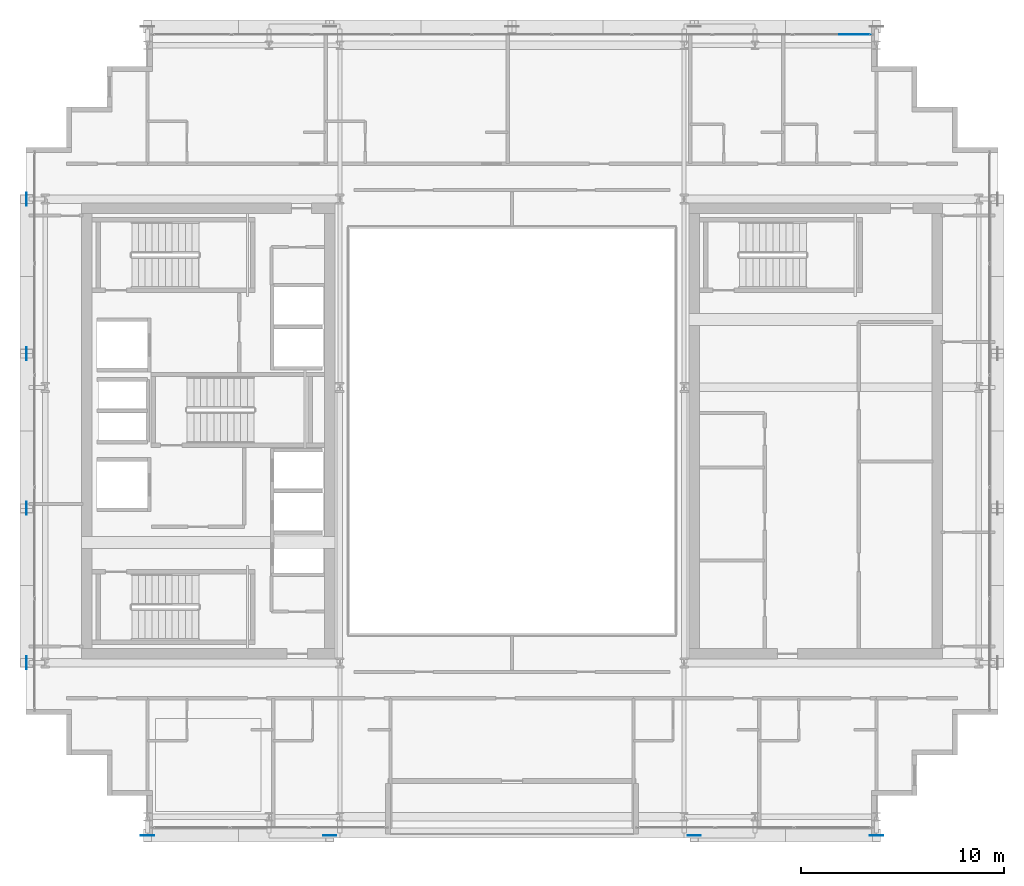
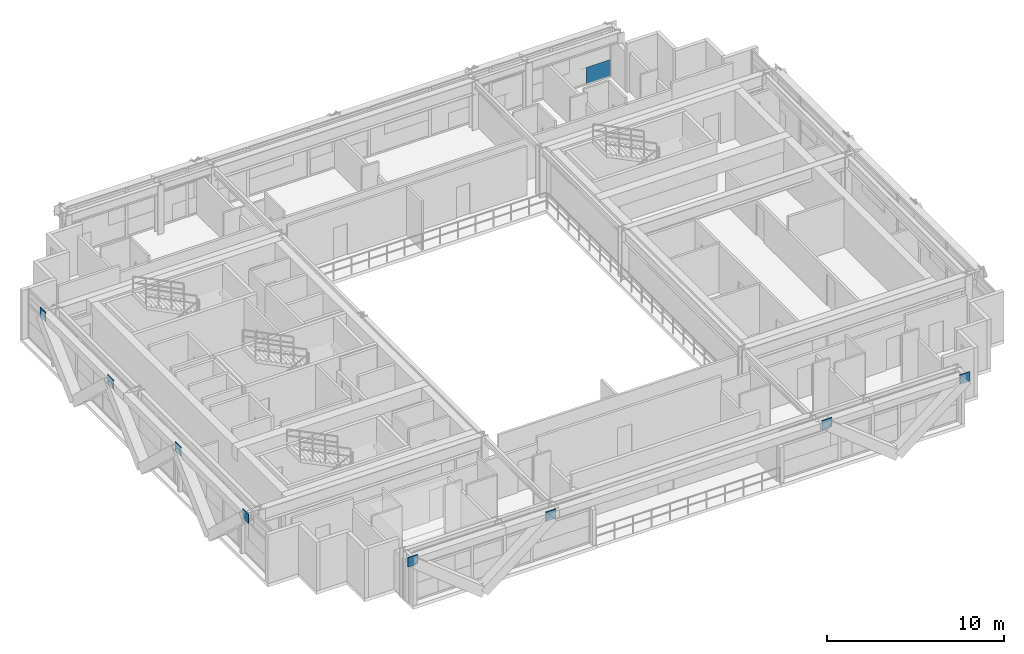
# One storey, part 22 of 32: 9 plates, 1 element without a shape of its own.
"""IFC4 building model written with IfcOpenShell, lengths in metres."""

from ifc_helpers import new_model, si_unit, direction, frame, origin, origin_2d, place, context, subcontext, project, spatial, rectangle, extrude, source, transform, mapped, material, layer, layer_set, type_object, element, aggregate, save


model = new_model("IFC4")

# Units and contexts
model_context = context("Model", 3, precision=1e-05, world=origin(), true_north=direction((0.0, 1.0)))
body_context = subcontext(model_context, "Body", "Model", "MODEL_VIEW")
ifc_project = project(units=[si_unit("LENGTHUNIT", "METRE"), si_unit("AREAUNIT", "SQUARE_METRE"), si_unit("VOLUMEUNIT", "CUBIC_METRE"), si_unit("PLANEANGLEUNIT", "RADIAN"), si_unit("MASSUNIT", "GRAM", prefix="KILO")], contexts=[model_context])

# Site, building, storey
site_placement = place(None, origin())
site = spatial("IfcSite", under=ifc_project, at=site_placement, CompositionType="ELEMENT")
building_placement = place(site_placement, origin())
building = spatial("IfcBuilding", under=site, at=building_placement, Name="Ocotamira Hotel", CompositionType="ELEMENT")
storey_placement = place(building_placement, frame((0.0, 0.0, 177.60009765625)))
storey = spatial("IfcBuildingStorey", under=building, at=storey_placement, Name="L44", CompositionType="ELEMENT", Elevation=177.60009765625)

# Plates
ifc_material_1 = material(Name="Pale-metal coated steel ASTM A572 Grade 50", Category="steel")
ifc_layer_1 = layer(ifc_material_1, 0.0400390625)
ifc_layer_set_1 = layer_set([ifc_layer_1], Name="Pale-metal coated steel ASTM A572 Grade 50")
plate_type_1 = type_object("IfcPlateType", Name="PLT-GUSSET-40", PredefinedType="SHEET", material=ifc_layer_set_1)
shared_shape_1 = source(origin(), body_context, "Body", "SweptSolid", [
    extrude(rectangle(XDim=0.64990234375, YDim=0.0400390625, at=origin_2d()), origin(), (0.0, 0.0, 1.0), 0.64990234375),
])
for number, where, z_axis, x_axis, name in (
    (1, (14.0, 6.030029296875, 2.794921875), (0.0, 0.0, 1.0), (-1.0, 0.0, 0.0), "L44 Exoskeleton Diagrid S0.1 End Gusset B"),
    (2, (23.0, 6.030029296875, 2.794921875), (0.0, 0.0, 1.0), (1.0, 0.0, 0.0), "L44 Exoskeleton Diagrid S0.2 End Gusset B"),
    (3, (41.0, 6.030029296875, 2.794921875), (0.0, 0.0, 1.0), (-1.0, 0.0, 0.0), "L44 Exoskeleton Diagrid S3.1 End Gusset B"),
    (4, (50.0, 6.030029296875, 2.794921875), (0.0, 0.0, 1.0), (1.0, 0.0, 0.0), "L44 Exoskeleton Diagrid S3.2 End Gusset B"),
):
    element("IfcPlate", number, at=place(storey_placement, frame(where, z_axis=z_axis, x_axis=x_axis)), inside=storey, type_object=plate_type_1, Name=name, PredefinedType="SHEET", context=body_context, shape_type="MappedRepresentation", body=[
        mapped(shared_shape_1, transform((0.0, 0.0, 0.0), scale=1.0)),
    ])
shared_shape_2 = source(origin(), body_context, "Body", "SweptSolid", [
    extrude(rectangle(XDim=0.0400390625, YDim=0.64990234375, at=origin_2d()), origin(), (0.0, 0.0, 1.0), 0.64990234375),
])
for number, where, z_axis, x_axis, name in (
    (5, (8.030029296875, 14.550048828125, 2.794921875), (0.0, 0.0, 1.0), (1.0, 0.0, 0.0), "L44 Exoskeleton Diagrid W0.1 End Gusset B"),
    (6, (8.030029296875, 22.183349609375, 2.794921875), (0.0, 0.0, 1.0), (1.0, 0.0, 0.0), "L44 Exoskeleton Diagrid W0.2 End Gusset B"),
    (7, (8.030029296875, 29.816650390625, 2.794921875), (0.0, 0.0, 1.0), (1.0, 0.0, 0.0), "L44 Exoskeleton Diagrid W1.2 End Gusset B"),
    (8, (8.030029296875, 37.449951171875, 2.794921875), (0.0, 0.0, 1.0), (1.0, 0.0, 0.0), "L44 Exoskeleton Diagrid W2.2 End Gusset B"),
):
    element("IfcPlate", number, at=place(storey_placement, frame(where, z_axis=z_axis, x_axis=x_axis)), inside=storey, type_object=plate_type_1, Name=name, PredefinedType="SHEET", context=body_context, shape_type="MappedRepresentation", body=[
        mapped(shared_shape_2, transform((0.0, 0.0, 0.0), scale=1.0)),
    ])

# Curtain wall, plate
ifc_material_2 = material(Name="Anodised pale-metal aluminium and solar glass", Category="aluminium")
ifc_layer_2 = layer(ifc_material_2, 0.199951171875)
ifc_layer_set_2 = layer_set([ifc_layer_2], Name="Anodised pale-metal aluminium and solar glass")
curtain_wall_type = type_object("IfcCurtainWallType", Name="CW-SYS4-Z3", PredefinedType="NOTDEFINED", material=ifc_layer_set_2)
curtain_wall_placement = place(storey_placement, origin())
curtain_wall = element("IfcCurtainWall", 9, at=curtain_wall_placement, inside=storey, type_object=curtain_wall_type, Name="L44 Curtain Wall CW-4 CW-L44-N", PredefinedType="NOTDEFINED")
ifc_material_3 = material(Name="Double-silver low-E insulated solar glass", Category="glass")
ifc_layer_3 = layer(ifc_material_3, 0.031982421875)
ifc_layer_set_3 = layer_set([ifc_layer_3], Name="Double-silver low-E insulated solar glass")
plate_type_2 = type_object("IfcPlateType", Name="CWP-VISION-32", PredefinedType="CURTAIN_PANEL", material=ifc_layer_set_3)
shared_shape_3 = source(origin(), body_context, "Body", "SweptSolid", [
    extrude(rectangle(XDim=1.5673828125, YDim=0.031982421875, at=origin_2d()), origin(), (0.0, 0.0, 1.0), 1.11865234375),
])
plate_placement = place(storey_placement, frame((48.936279296875, 45.580078125, 0.074951171875), z_axis=(0.0, 0.0, 1.0), x_axis=(1.0, 0.0, 0.0)))
plate = element("IfcPlate", 10, at=plate_placement, type_object=plate_type_2, Name="CW-4 panel 9.1.2", PredefinedType="CURTAIN_PANEL", context=body_context, shape_type="MappedRepresentation", body=[
    mapped(shared_shape_3, transform((0.0, 0.0, 0.0), scale=1.0)),
])
aggregate(curtain_wall, [plate])

save(model, "model.ifc")
